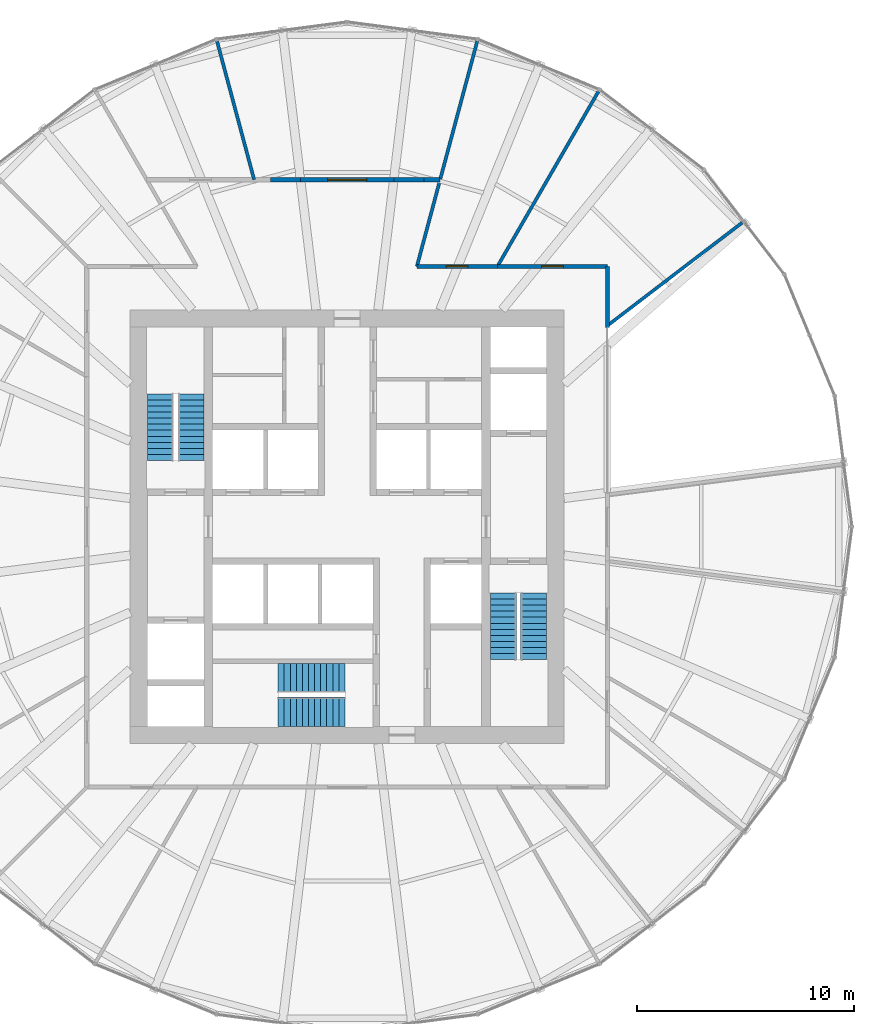
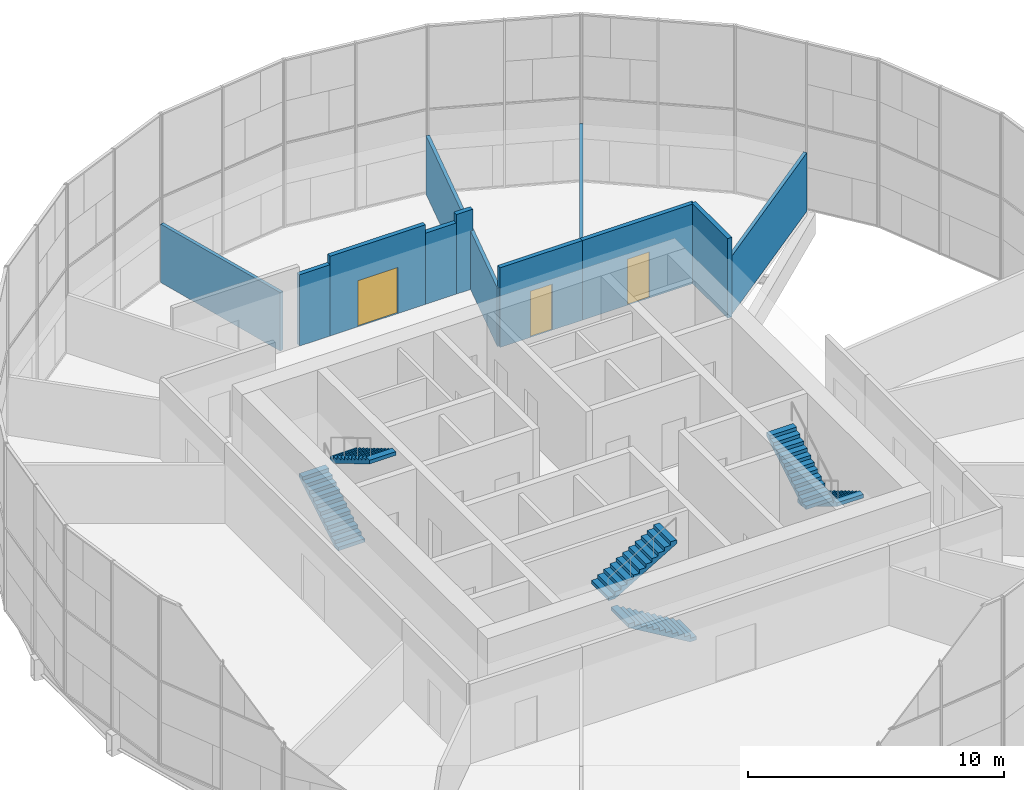
# One storey, part 17 of 18: 11 walls, 6 stair flights, 3 doors, 3 openings, 3 elements without a shape of their own.
"""IFC4 building model written with IfcOpenShell, lengths in metres."""

from ifc_helpers import new_model, si_unit, direction, frame, frame_2d, origin, place, context, subcontext, project, spatial, polyline, rectangle, outline, extrude, material, layer, layer_set, type_object, element, fill, aggregate, save


model = new_model("IFC4")

# Units and contexts
model_context = context("Model", 3, precision=1e-05, world=origin(), true_north=direction((0.0, 1.0)))
body_context = subcontext(model_context, "Body", "Model", "MODEL_VIEW")
ifc_project = project(units=[si_unit("LENGTHUNIT", "METRE"), si_unit("AREAUNIT", "SQUARE_METRE"), si_unit("VOLUMEUNIT", "CUBIC_METRE"), si_unit("PLANEANGLEUNIT", "RADIAN"), si_unit("MASSUNIT", "GRAM", prefix="KILO")], contexts=[model_context])

# Site, building, storey
site_placement = place(None, origin())
site = spatial("IfcSite", under=ifc_project, at=site_placement, CompositionType="ELEMENT")
building_placement = place(site_placement, origin())
building = spatial("IfcBuilding", under=site, at=building_placement, Name="Golbaran Civic Tower", CompositionType="ELEMENT")
storey_placement = place(building_placement, frame((0.0, 0.0, 45.0)))
storey = spatial("IfcBuildingStorey", under=building, at=storey_placement, Name="L10", CompositionType="ELEMENT", Elevation=45.0)

# Wall
ifc_material_1 = material(Name="Gypsum board on steel studs, fire-rated", Category="steel")
ifc_layer_1 = layer(ifc_material_1, 0.199951171875, Name="Gypsum board on steel studs, fire-rated")
ifc_layer_set_1 = layer_set([ifc_layer_1], Name="Gypsum board on steel studs, fire-rated")
wall_type_1 = type_object("IfcWallType", Name="CORRIDOR WALL 200", PredefinedType="PARTITIONING", material=ifc_layer_set_1)
wall_1_placement = place(storey_placement, frame((12.0, 9.175048828125, 0.0), z_axis=(0.0, 0.0, 1.0), x_axis=(0.0, 1.0, 0.0)))
element("IfcWall", 1, at=wall_1_placement, inside=storey, type_object=wall_type_1, Name="Corridor wall L10", PredefinedType="PARTITIONING", context=body_context, shape_type="SweptSolid", body=[
    extrude(rectangle(XDim=2.824951171875, YDim=0.199951171875, at=frame_2d((1.41259765625, 0.0))), origin(), (0.0, 0.0, 1.0), 3.800048828125),
])

# Wall, opening, door
wall_2_placement = place(storey_placement, frame((12.0, 12.0, 0.0), z_axis=(0.0, 0.0, 1.0), x_axis=(-1.0, 0.0, 0.0)))
wall_2 = element("IfcWall", 2, at=wall_2_placement, inside=storey, type_object=wall_type_1, Name="Corridor wall L10", PredefinedType="PARTITIONING", context=body_context, shape_type="SweptSolid", body=[
    extrude(rectangle(XDim=5.07177734375, YDim=0.199951171875, at=frame_2d((2.535888671875, 0.0))), origin(), (0.0, 0.0, 1.0), 3.800048828125),
])
opening_1_placement = place(wall_2_placement, frame((2.035888671875, 0.0, 0.0)))
opening_1 = element("IfcOpeningElement", 3, at=opening_1_placement, cuts=wall_2, Name="Opening L10.06", PredefinedType="OPENING", context=body_context, shape_type="SweptSolid", body=[
    extrude(rectangle(XDim=1.0, YDim=2.199951171875, at=frame_2d((0.5, 1.10009765625))), frame((0.0, 0.10986328125, 0.0), z_axis=(0.0, -1.0, 0.0), x_axis=(1.0, 0.0, 0.0)), (0.0, 0.0, 1.0), 0.219970703125),
])
ifc_material_2 = material(Name="Timber door set in steel frame", Category="steel")
door_type_1 = type_object("IfcDoorType", Name="OFFICE DOOR 1000x2200", OperationType="SINGLE_SWING_LEFT", PredefinedType="DOOR", material=ifc_material_2)
door_1_placement = place(opening_1_placement, origin())
door_1 = element("IfcDoor", 4, at=door_1_placement, inside=storey, type_object=door_type_1, Name="Pantry door L10", OperationType="SINGLE_SWING_RIGHT", OverallHeight=2.199951171875, OverallWidth=1.0, PredefinedType="DOOR", context=body_context, shape_type="SweptSolid", body=[
    extrude(rectangle(XDim=1.0, YDim=2.199951171875, at=frame_2d((0.5, 1.10009765625))), frame((0.0, 0.02490234375, 0.0), z_axis=(0.0, -1.0, 0.0), x_axis=(1.0, 0.0, 0.0)), (0.0, 0.0, 1.0), 0.050048828125),
])
fill(opening_1, door_1)

wall_3_placement = place(storey_placement, frame((6.92822265625, 12.0, 0.0), z_axis=(0.0, 0.0, 1.0), x_axis=(-1.0, 0.0, 0.0)))
wall_3 = element("IfcWall", 5, at=wall_3_placement, inside=storey, type_object=wall_type_1, Name="Corridor wall L10", PredefinedType="PARTITIONING", context=body_context, shape_type="SweptSolid", body=[
    extrude(rectangle(XDim=3.712890625, YDim=0.199951171875, at=frame_2d((1.8564453125, 0.0))), origin(), (0.0, 0.0, 1.0), 3.800048828125),
])
opening_2_placement = place(wall_3_placement, frame((1.3564453125, 0.0, 0.0)))
opening_2 = element("IfcOpeningElement", 6, at=opening_2_placement, cuts=wall_3, Name="Opening L10.07", PredefinedType="OPENING", context=body_context, shape_type="SweptSolid", body=[
    extrude(rectangle(XDim=1.0, YDim=2.199951171875, at=frame_2d((0.5, 1.10009765625))), frame((0.0, 0.10986328125, 0.0), z_axis=(0.0, -1.0, 0.0), x_axis=(1.0, 0.0, 0.0)), (0.0, 0.0, 1.0), 0.219970703125),
])
door_2_placement = place(opening_2_placement, origin())
door_2 = element("IfcDoor", 7, at=door_2_placement, inside=storey, type_object=door_type_1, Name="Meeting Room door L10", OperationType="SINGLE_SWING_RIGHT", OverallHeight=2.199951171875, OverallWidth=1.0, PredefinedType="DOOR", context=body_context, shape_type="SweptSolid", body=[
    extrude(rectangle(XDim=1.0, YDim=2.199951171875, at=frame_2d((0.5, 1.10009765625))), frame((0.0, 0.02490234375, 0.0), z_axis=(0.0, -1.0, 0.0), x_axis=(1.0, 0.0, 0.0)), (0.0, 0.0, 1.0), 0.050048828125),
])
fill(opening_2, door_2)

# Walls
ifc_material_3 = material(Name="Gypsum board on steel studs, fire-rated, glazed panels", Category="steel")
ifc_layer_2 = layer(ifc_material_3, 0.199951171875, Name="Gypsum board on steel studs, fire-rated, glazed panels")
ifc_layer_set_2 = layer_set([ifc_layer_2], Name="Gypsum board on steel studs, fire-rated, glazed panels")
wall_type_2 = type_object("IfcWallType", Name="GALLERY WALL 200", PredefinedType="PARTITIONING", material=ifc_layer_set_2)
wall_4_placement = place(storey_placement, frame((4.287109375, 16.0, 0.0), z_axis=(0.0, 0.0, 1.0), x_axis=(-1.0, 0.0, 0.0)))
element("IfcWall", 8, at=wall_4_placement, inside=storey, type_object=wall_type_2, Name="Gallery wall L10", PredefinedType="PARTITIONING", context=body_context, shape_type="SweptSolid", body=[
    extrude(rectangle(XDim=0.743408203125, YDim=0.199951171875, at=frame_2d((0.37158203125, 0.0))), origin(), (0.0, 0.0, 1.0), 3.800048828125),
])
wall_5_placement = place(storey_placement, frame((3.543701171875, 16.0, 0.0), z_axis=(0.0, 0.0, 1.0), x_axis=(-1.0, 0.0, 0.0)))
element("IfcWall", 9, at=wall_5_placement, inside=storey, type_object=wall_type_2, Name="Gallery wall L10 (part 2)", PredefinedType="PARTITIONING", context=body_context, shape_type="SweptSolid", body=[
    extrude(rectangle(XDim=1.38671875, YDim=0.199951171875, at=frame_2d((0.693359375, 0.0))), origin(), (0.0, 0.0, 1.0), 3.39990234375),
])

# Wall, opening, door
wall_6_placement = place(storey_placement, frame((2.156982421875, 16.0, 0.0), z_axis=(0.0, 0.0, 1.0), x_axis=(-1.0, 0.0, 0.0)))
wall_6 = element("IfcWall", 10, at=wall_6_placement, inside=storey, type_object=wall_type_2, Name="Gallery wall L10 (part 3)", PredefinedType="PARTITIONING", context=body_context, shape_type="SweptSolid", body=[
    extrude(rectangle(XDim=4.31396484375, YDim=0.199951171875, at=frame_2d((2.156982421875, 0.0))), origin(), (0.0, 0.0, 1.0), 3.800048828125),
])
opening_3_placement = place(wall_6_placement, frame((1.257080078125, 0.0, 0.0)))
opening_3 = element("IfcOpeningElement", 11, at=opening_3_placement, cuts=wall_6, Name="Opening L10.02", PredefinedType="OPENING", context=body_context, shape_type="SweptSolid", body=[
    extrude(rectangle(XDim=1.800048828125, YDim=2.199951171875, at=frame_2d((0.89990234375, 1.10009765625))), frame((0.0, 0.10986328125, 0.0), z_axis=(0.0, -1.0, 0.0), x_axis=(1.0, 0.0, 0.0)), (0.0, 0.0, 1.0), 0.219970703125),
])
door_type_2 = type_object("IfcDoorType", Name="OFFICE DOUBLE DOOR 1800x2200", OperationType="DOUBLE_DOOR_SINGLE_SWING", PredefinedType="DOOR", material=ifc_material_2)
door_3_placement = place(opening_3_placement, origin())
door_3 = element("IfcDoor", 12, at=door_3_placement, inside=storey, type_object=door_type_2, Name="Director's Office door L10", OperationType="DOUBLE_DOOR_SINGLE_SWING", OverallHeight=2.199951171875, OverallWidth=1.800048828125, PredefinedType="DOOR", context=body_context, shape_type="SweptSolid", body=[
    extrude(rectangle(XDim=1.800048828125, YDim=2.199951171875, at=frame_2d((0.89990234375, 1.10009765625))), frame((0.0, 0.02490234375, 0.0), z_axis=(0.0, -1.0, 0.0), x_axis=(1.0, 0.0, 0.0)), (0.0, 0.0, 1.0), 0.050048828125),
])
fill(opening_3, door_3)

# Walls
wall_7_placement = place(storey_placement, frame((-2.156982421875, 16.0, 0.0), z_axis=(0.0, 0.0, 1.0), x_axis=(-1.0, 0.0, 0.0)))
element("IfcWall", 13, at=wall_7_placement, inside=storey, type_object=wall_type_2, Name="Gallery wall L10 (part 4)", PredefinedType="PARTITIONING", context=body_context, shape_type="SweptSolid", body=[
    extrude(rectangle(XDim=1.38671875, YDim=0.199951171875, at=frame_2d((0.693359375, 0.0))), origin(), (0.0, 0.0, 1.0), 3.39990234375),
])
ifc_material_4 = material(Name="Gypsum board on steel studs", Category="steel")
ifc_layer_3 = layer(ifc_material_4, 0.14990234375, Name="Gypsum board on steel studs")
ifc_layer_set_3 = layer_set([ifc_layer_3], Name="Gypsum board on steel studs")
wall_type_3 = type_object("IfcWallType", Name="OFFICE PARTITION 150", PredefinedType="PARTITIONING", material=ifc_layer_set_3)
wall_8_placement = place(storey_placement, frame((11.954345703125, 9.234619140625, 0.0), z_axis=(0.0, 0.0, 1.0), x_axis=(0.794412378412, 0.607378772288, 0.0)))
element("IfcWall", 14, at=wall_8_placement, inside=storey, type_object=wall_type_3, Name="Partition 37.4013 L10", PredefinedType="PARTITIONING", context=body_context, shape_type="SweptSolid", body=[
    extrude(rectangle(XDim=7.87646484375, YDim=0.14990234375, at=frame_2d((3.938232421875, 0.0))), origin(), (0.0, 0.0, 1.0), 2.7900390625),
])
wall_9_placement = place(storey_placement, frame((6.92822265625, 12.0, 0.0), z_axis=(0.0, 0.0, 1.0), x_axis=(0.499994446179, 0.866028610261, 0.0)))
element("IfcWall", 15, at=wall_9_placement, inside=storey, type_object=wall_type_3, Name="Partition 60 L10", PredefinedType="PARTITIONING", context=body_context, shape_type="SweptSolid", body=[
    extrude(rectangle(XDim=9.32373046875, YDim=0.14990234375, at=frame_2d((4.661865234375, 0.0))), origin(), (0.0, 0.0, 1.0), 2.7900390625),
])
wall_10_placement = place(storey_placement, frame((3.21533203125, 12.0, 0.0), z_axis=(0.0, 0.0, 1.0), x_axis=(0.258826463373, 0.965923838539, 0.0)))
element("IfcWall", 16, at=wall_10_placement, inside=storey, type_object=wall_type_3, Name="Partition 75 L10", PredefinedType="PARTITIONING", context=body_context, shape_type="SweptSolid", body=[
    extrude(rectangle(XDim=10.7568359375, YDim=0.14990234375, at=frame_2d((5.37841796875, 0.0))), origin(), (0.0, 0.0, 1.0), 2.7900390625),
])
wall_11_placement = place(storey_placement, frame((-4.287109375, 16.0, 0.0), z_axis=(0.0, 0.0, 1.0), x_axis=(-0.258833846319, 0.965921860194, 0.0)))
element("IfcWall", 17, at=wall_11_placement, inside=storey, type_object=wall_type_3, Name="Partition 105 L10", PredefinedType="PARTITIONING", context=body_context, shape_type="SweptSolid", body=[
    extrude(rectangle(XDim=6.61572265625, YDim=0.14990234375, at=frame_2d((3.307861328125, 0.0))), origin(), (0.0, 0.0, 1.0), 2.7900390625),
])

# Stair, stair flights
ifc_material_5 = material(Name="Concrete C35/45", Category="concrete")
stair_type_1 = type_object("IfcStairType", Name="EXIT STAIR 2600 x 7450, 4000 RISE", PredefinedType="HALF_TURN_STAIR", material=ifc_material_5)
stair_1_placement = place(storey_placement, origin())
stair_1 = element("IfcStair", 18, at=stair_1_placement, inside=storey, type_object=stair_type_1, Name="Stair S1 L10", PredefinedType="HALF_TURN_STAIR")
stair_flight_type_1 = type_object("IfcStairFlightType", Name="STAIR FLIGHT 1200 WIDE", PredefinedType="STRAIGHT", material=ifc_material_5)
stair_flight_1_placement = place(storey_placement, frame((-8.60009765625, 3.050048828125, 0.0), z_axis=(0.0, 0.0, 1.0), x_axis=(0.0, 1.0, 0.0)))
stair_flight_1 = element("IfcStairFlight", 19, at=stair_flight_1_placement, type_object=stair_flight_type_1, Name="ST26074-40 flight 1", NumberOfRisers=12, NumberOfTreads=11, PredefinedType="STRAIGHT", RiserHeight=0.166666667, TreadLength=0.28, context=body_context, shape_type="SweptSolid", body=[
    extrude(outline(polyline([(0.0, 0.0), (0.0, 0.166748046875), (0.280029296875, 0.166748046875), (0.280029296875, 0.333251953125), (0.56005859375, 0.333251953125), (0.56005859375, 0.5), (0.840087890625, 0.5), (0.840087890625, 0.666748046875), (1.1201171875, 0.666748046875), (1.1201171875, 0.833251953125), (1.39990234375, 0.833251953125), (1.39990234375, 1.0), (1.679931640625, 1.0), (1.679931640625, 1.166748046875), (1.9599609375, 1.166748046875), (1.9599609375, 1.333251953125), (2.239990234375, 1.333251953125), (2.239990234375, 1.5), (2.52001953125, 1.5), (2.52001953125, 1.666748046875), (2.800048828125, 1.666748046875), (2.800048828125, 1.833251953125), (3.080078125, 1.833251953125), (3.080078125, 2.0), (3.080078125, 1.658935546875), (0.29296875, 0.0), (0.0, 0.0)])), frame((0.0, 0.60009765625, 0.0), z_axis=(0.0, -1.0, 0.0), x_axis=(1.0, 0.0, 0.0)), (0.0, 0.0, 1.0), 1.199951171875),
])
stair_flight_2_placement = place(storey_placement, frame((-7.199951171875, 6.1298828125, 2.0), z_axis=(0.0, 0.0, 1.0), x_axis=(0.0, -1.0, 0.0)))
stair_flight_2 = element("IfcStairFlight", 20, at=stair_flight_2_placement, type_object=stair_flight_type_1, Name="ST26074-40 flight 2", NumberOfRisers=12, NumberOfTreads=11, PredefinedType="STRAIGHT", RiserHeight=0.166666667, TreadLength=0.28, context=body_context, shape_type="SweptSolid", body=[
    extrude(outline(polyline([(0.0, 0.0), (0.0, 0.166748046875), (0.280029296875, 0.166748046875), (0.280029296875, 0.333251953125), (0.56005859375, 0.333251953125), (0.56005859375, 0.5), (0.840087890625, 0.5), (0.840087890625, 0.666748046875), (1.1201171875, 0.666748046875), (1.1201171875, 0.833251953125), (1.39990234375, 0.833251953125), (1.39990234375, 1.0), (1.679931640625, 1.0), (1.679931640625, 1.166748046875), (1.9599609375, 1.166748046875), (1.9599609375, 1.333251953125), (2.239990234375, 1.333251953125), (2.239990234375, 1.5), (2.52001953125, 1.5), (2.52001953125, 1.666748046875), (2.800048828125, 1.666748046875), (2.800048828125, 1.833251953125), (3.080078125, 1.833251953125), (3.080078125, 2.0), (3.080078125, 1.658935546875), (0.29296875, 0.0), (0.0, 0.0)])), frame((0.0, 0.60009765625, 0.0), z_axis=(0.0, -1.0, 0.0), x_axis=(1.0, 0.0, 0.0)), (0.0, 0.0, 1.0), 1.199951171875),
])
aggregate(stair_1, [stair_flight_1, stair_flight_2])

stair_2_placement = place(storey_placement, origin())
stair_2 = element("IfcStair", 21, at=stair_2_placement, inside=storey, type_object=stair_type_1, Name="Stair S2 L10", PredefinedType="HALF_TURN_STAIR")
stair_flight_3_placement = place(storey_placement, frame((8.60009765625, -3.050048828125, 0.0), z_axis=(0.0, 0.0, 1.0), x_axis=(0.0, -1.0, 0.0)))
stair_flight_3 = element("IfcStairFlight", 22, at=stair_flight_3_placement, type_object=stair_flight_type_1, Name="ST26074-40 flight 1", NumberOfRisers=12, NumberOfTreads=11, PredefinedType="STRAIGHT", RiserHeight=0.166666667, TreadLength=0.28, context=body_context, shape_type="SweptSolid", body=[
    extrude(outline(polyline([(0.0, 0.0), (0.0, 0.166748046875), (0.280029296875, 0.166748046875), (0.280029296875, 0.333251953125), (0.56005859375, 0.333251953125), (0.56005859375, 0.5), (0.840087890625, 0.5), (0.840087890625, 0.666748046875), (1.1201171875, 0.666748046875), (1.1201171875, 0.833251953125), (1.39990234375, 0.833251953125), (1.39990234375, 1.0), (1.679931640625, 1.0), (1.679931640625, 1.166748046875), (1.9599609375, 1.166748046875), (1.9599609375, 1.333251953125), (2.239990234375, 1.333251953125), (2.239990234375, 1.5), (2.52001953125, 1.5), (2.52001953125, 1.666748046875), (2.800048828125, 1.666748046875), (2.800048828125, 1.833251953125), (3.080078125, 1.833251953125), (3.080078125, 2.0), (3.080078125, 1.658935546875), (0.29296875, 0.0), (0.0, 0.0)])), frame((0.0, 0.60009765625, 0.0), z_axis=(0.0, -1.0, 0.0), x_axis=(1.0, 0.0, 0.0)), (0.0, 0.0, 1.0), 1.199951171875),
])
stair_flight_4_placement = place(storey_placement, frame((7.199951171875, -6.1298828125, 2.0), z_axis=(0.0, 0.0, 1.0), x_axis=(0.0, 1.0, 0.0)))
stair_flight_4 = element("IfcStairFlight", 23, at=stair_flight_4_placement, type_object=stair_flight_type_1, Name="ST26074-40 flight 2", NumberOfRisers=12, NumberOfTreads=11, PredefinedType="STRAIGHT", RiserHeight=0.166666667, TreadLength=0.28, context=body_context, shape_type="SweptSolid", body=[
    extrude(outline(polyline([(0.0, 0.0), (0.0, 0.166748046875), (0.280029296875, 0.166748046875), (0.280029296875, 0.333251953125), (0.56005859375, 0.333251953125), (0.56005859375, 0.5), (0.840087890625, 0.5), (0.840087890625, 0.666748046875), (1.1201171875, 0.666748046875), (1.1201171875, 0.833251953125), (1.39990234375, 0.833251953125), (1.39990234375, 1.0), (1.679931640625, 1.0), (1.679931640625, 1.166748046875), (1.9599609375, 1.166748046875), (1.9599609375, 1.333251953125), (2.239990234375, 1.333251953125), (2.239990234375, 1.5), (2.52001953125, 1.5), (2.52001953125, 1.666748046875), (2.800048828125, 1.666748046875), (2.800048828125, 1.833251953125), (3.080078125, 1.833251953125), (3.080078125, 2.0), (3.080078125, 1.658935546875), (0.29296875, 0.0), (0.0, 0.0)])), frame((0.0, 0.60009765625, 0.0), z_axis=(0.0, -1.0, 0.0), x_axis=(1.0, 0.0, 0.0)), (0.0, 0.0, 1.0), 1.199951171875),
])
aggregate(stair_2, [stair_flight_3, stair_flight_4])

stair_type_2 = type_object("IfcStairType", Name="EXIT STAIR 2900 x 7400, 4000 RISE", PredefinedType="HALF_TURN_STAIR", material=ifc_material_5)
stair_3_placement = place(storey_placement, origin())
stair_3 = element("IfcStair", 24, at=stair_3_placement, inside=storey, type_object=stair_type_2, Name="Stair S3 L10", PredefinedType="HALF_TURN_STAIR")
stair_flight_type_2 = type_object("IfcStairFlightType", Name="STAIR FLIGHT 1350 WIDE", PredefinedType="STRAIGHT", material=ifc_material_5)
stair_flight_5_placement = place(storey_placement, frame((-0.10009765625, -8.52490234375, 0.0), z_axis=(0.0, 0.0, 1.0), x_axis=(-1.0, 0.0, 0.0)))
stair_flight_5 = element("IfcStairFlight", 25, at=stair_flight_5_placement, type_object=stair_flight_type_2, Name="ST29074-40 flight 1", NumberOfRisers=12, NumberOfTreads=11, PredefinedType="STRAIGHT", RiserHeight=0.166666667, TreadLength=0.28, context=body_context, shape_type="SweptSolid", body=[
    extrude(outline(polyline([(0.0, 0.0), (0.0, 0.166748046875), (0.280029296875, 0.166748046875), (0.280029296875, 0.333251953125), (0.56005859375, 0.333251953125), (0.56005859375, 0.5), (0.840087890625, 0.5), (0.840087890625, 0.666748046875), (1.1201171875, 0.666748046875), (1.1201171875, 0.833251953125), (1.39990234375, 0.833251953125), (1.39990234375, 1.0), (1.679931640625, 1.0), (1.679931640625, 1.166748046875), (1.9599609375, 1.166748046875), (1.9599609375, 1.333251953125), (2.239990234375, 1.333251953125), (2.239990234375, 1.5), (2.52001953125, 1.5), (2.52001953125, 1.666748046875), (2.800048828125, 1.666748046875), (2.800048828125, 1.833251953125), (3.080078125, 1.833251953125), (3.080078125, 2.0), (3.080078125, 1.658935546875), (0.29296875, 0.0), (0.0, 0.0)])), frame((0.0, 0.675048828125, 0.0), z_axis=(0.0, -1.0, 0.0), x_axis=(1.0, 0.0, 0.0)), (0.0, 0.0, 1.0), 1.35009765625),
])
stair_flight_6_placement = place(storey_placement, frame((-3.179931640625, -6.97509765625, 2.0), z_axis=(0.0, 0.0, 1.0), x_axis=(1.0, 0.0, 0.0)))
stair_flight_6 = element("IfcStairFlight", 26, at=stair_flight_6_placement, type_object=stair_flight_type_2, Name="ST29074-40 flight 2", NumberOfRisers=12, NumberOfTreads=11, PredefinedType="STRAIGHT", RiserHeight=0.166666667, TreadLength=0.28, context=body_context, shape_type="SweptSolid", body=[
    extrude(outline(polyline([(0.0, 0.0), (0.0, 0.166748046875), (0.280029296875, 0.166748046875), (0.280029296875, 0.333251953125), (0.56005859375, 0.333251953125), (0.56005859375, 0.5), (0.840087890625, 0.5), (0.840087890625, 0.666748046875), (1.1201171875, 0.666748046875), (1.1201171875, 0.833251953125), (1.39990234375, 0.833251953125), (1.39990234375, 1.0), (1.679931640625, 1.0), (1.679931640625, 1.166748046875), (1.9599609375, 1.166748046875), (1.9599609375, 1.333251953125), (2.239990234375, 1.333251953125), (2.239990234375, 1.5), (2.52001953125, 1.5), (2.52001953125, 1.666748046875), (2.800048828125, 1.666748046875), (2.800048828125, 1.833251953125), (3.080078125, 1.833251953125), (3.080078125, 2.0), (3.080078125, 1.658935546875), (0.29296875, 0.0), (0.0, 0.0)])), frame((0.0, 0.675048828125, 0.0), z_axis=(0.0, -1.0, 0.0), x_axis=(1.0, 0.0, 0.0)), (0.0, 0.0, 1.0), 1.35009765625),
])
aggregate(stair_3, [stair_flight_5, stair_flight_6])

save(model, "model.ifc")
